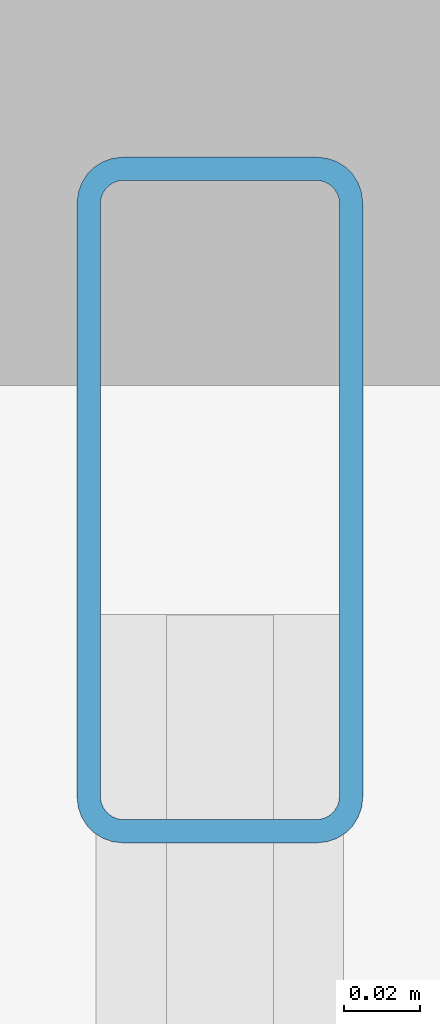
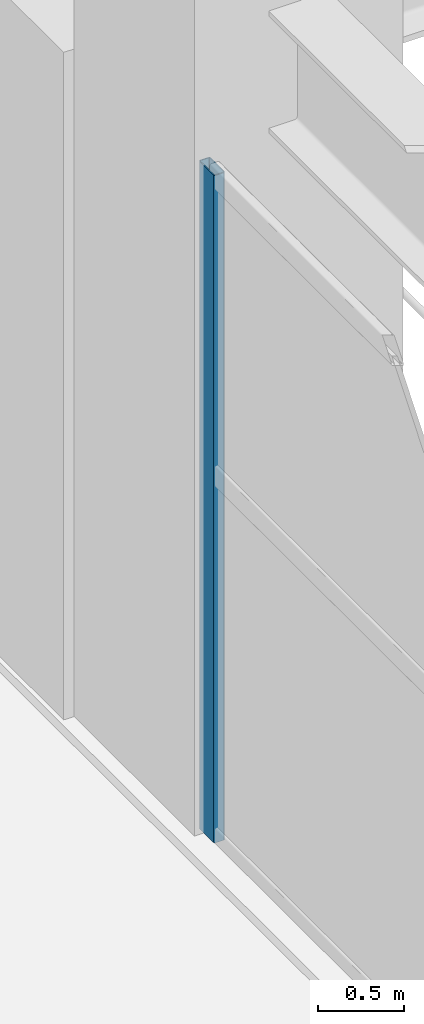
# One storey, part 11 of 31: 1 member, 1 element without a shape of its own.
"""IFC4 building model written with IfcOpenShell, lengths in metres."""

from ifc_helpers import new_model, si_unit, direction, frame, origin, origin_2d, place, context, subcontext, project, spatial, hollow_rectangle, extrude, material, layer, layer_set, material_profile, profile_set, type_object, element, aggregate, save


model = new_model("IFC4")

# Units and contexts
model_context = context("Model", 3, precision=1e-05, world=origin(), true_north=direction((0.0, 1.0)))
body_context = subcontext(model_context, "Body", "Model", "MODEL_VIEW")
ifc_project = project(units=[si_unit("LENGTHUNIT", "METRE"), si_unit("AREAUNIT", "SQUARE_METRE"), si_unit("VOLUMEUNIT", "CUBIC_METRE"), si_unit("PLANEANGLEUNIT", "RADIAN"), si_unit("MASSUNIT", "GRAM", prefix="KILO")], contexts=[model_context])

# Site, building, storey
site_placement = place(None, origin())
site = spatial("IfcSite", under=ifc_project, at=site_placement, CompositionType="ELEMENT")
building_placement = place(site_placement, origin())
building = spatial("IfcBuilding", under=site, at=building_placement, Name="Soratama Intermodal Tower", CompositionType="ELEMENT")
storey_placement = place(building_placement, origin())
storey = spatial("IfcBuildingStorey", under=building, at=storey_placement, Name="L00", CompositionType="ELEMENT", Elevation=0.0)

# Curtain wall, member
ifc_material_1 = material(Name="Double-glazed aluminium curtain wall", Category="aluminium")
ifc_layer = layer(ifc_material_1, 0.159912109375)
ifc_layer_set = layer_set([ifc_layer], Name="Double-glazed aluminium curtain wall")
curtain_wall_type = type_object("IfcCurtainWallType", Name="CW-SYS-1", PredefinedType="NOTDEFINED", material=ifc_layer_set)
curtain_wall_placement = place(storey_placement, origin())
curtain_wall = element("IfcCurtainWall", 1, at=curtain_wall_placement, inside=storey, type_object=curtain_wall_type, Name="L00 Station Curtain Wall W2", PredefinedType="NOTDEFINED")
ifc_material_2 = material(Name="Anodised aluminium AA 6063-T6", Category="aluminium")
ifc_material_profile = material_profile(ifc_material_2, hollow_rectangle(XDim=0.074951171875, YDim=0.179931640625, WallThickness=0.006103515625, InnerFilletRadius=0.006103515625, OuterFilletRadius=0.011962890625, at=origin_2d()), Name="CWM180X75X6")
ifc_profile_set = profile_set([ifc_material_profile], Name="Anodised aluminium AA 6063-T6")
member_type = type_object("IfcMemberType", Name="MT-CWM-1", PredefinedType="MULLION", material=ifc_profile_set)
member_placement = place(storey_placement, frame((0.199951171875, 34.27001953125, 0.0), z_axis=(0.0, 0.0, 1.0), x_axis=(-1.0, 0.0, 0.0)))
member = element("IfcMember", 2, at=member_placement, type_object=member_type, Name="CW-1 mullion 4", PredefinedType="MULLION", context=body_context, shape_type="SweptSolid", body=[
    extrude(hollow_rectangle(XDim=0.074951171875, YDim=0.179931640625, WallThickness=0.006103515625, InnerFilletRadius=0.006103515625, OuterFilletRadius=0.011962890625, at=origin_2d()), origin(), (0.0, 0.0, 1.0), 4.736083984375),
])
aggregate(curtain_wall, [member])

save(model, "model.ifc")
